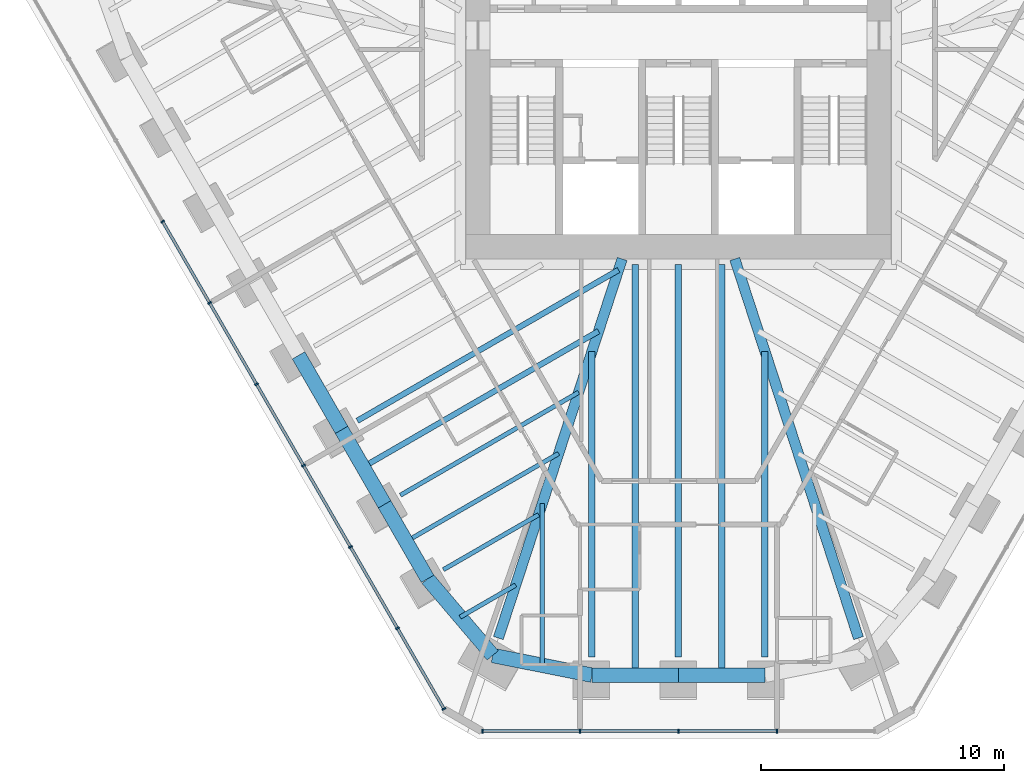
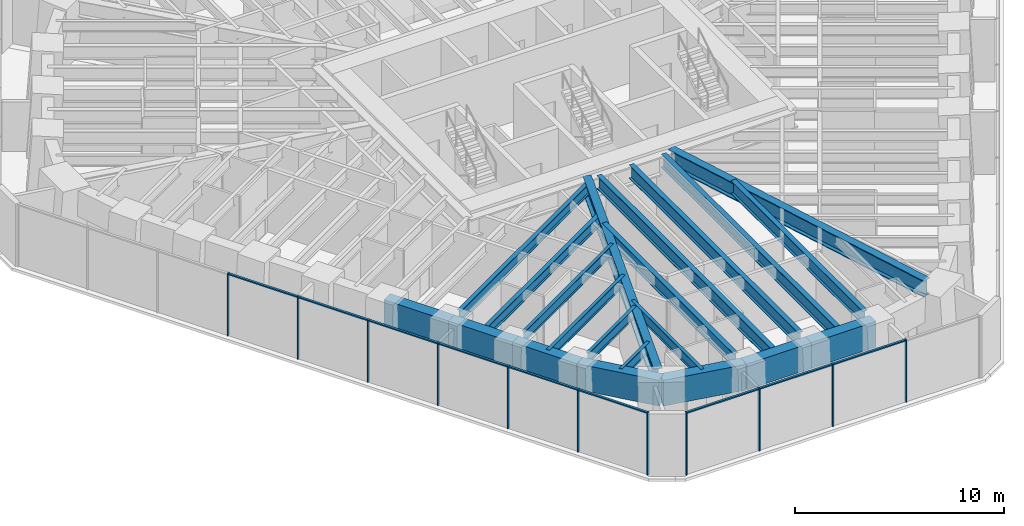
# One storey, part 2 of 16: 21 beams, 20 members, 2 elements without a shape of their own.
"""IFC4 building model written with IfcOpenShell, lengths in metres."""

from ifc_helpers import new_model, si_unit, direction, frame, origin, origin_2d, place, context, subcontext, project, spatial, rectangle, i_section, extrude, material, material_profile, profile_set, type_object, element, aggregate, save


model = new_model("IFC4")

# Units and contexts
model_context = context("Model", 3, precision=1e-05, world=origin(), true_north=direction((0.0, 1.0)))
body_context = subcontext(model_context, "Body", "Model", "MODEL_VIEW")
ifc_project = project(units=[si_unit("LENGTHUNIT", "METRE"), si_unit("AREAUNIT", "SQUARE_METRE"), si_unit("VOLUMEUNIT", "CUBIC_METRE"), si_unit("PLANEANGLEUNIT", "RADIAN"), si_unit("MASSUNIT", "GRAM", prefix="KILO")], contexts=[model_context])

# Site, building, storey
site_placement = place(None, origin())
site = spatial("IfcSite", under=ifc_project, at=site_placement, CompositionType="ELEMENT")
building_placement = place(site_placement, origin())
building = spatial("IfcBuilding", under=site, at=building_placement, Name="Sandreach Pilgrim Tower", CompositionType="ELEMENT")
storey_placement = place(building_placement, frame((0.0, 0.0, 244.0)))
storey = spatial("IfcBuildingStorey", under=building, at=storey_placement, Name="L61", CompositionType="ELEMENT", Elevation=244.0)

# Curtain wall, members
ifc_material_1 = material(Name="Aluminium framed curtain wall", Category="aluminium")
curtain_wall_type = type_object("IfcCurtainWallType", Name="Upper hotel tower curtain wall", PredefinedType="NOTDEFINED", material=ifc_material_1)
curtain_wall_1_placement = place(storey_placement, origin())
curtain_wall_1 = element("IfcCurtainWall", 1, at=curtain_wall_1_placement, inside=storey, type_object=curtain_wall_type, Name="CW-3 L61 S", PredefinedType="NOTDEFINED")
ifc_material_2 = material(Name="Aluminium extrusion", Category="aluminium")
ifc_material_profile_1 = material_profile(ifc_material_2, rectangle(XDim=0.06494140625, YDim=0.159912109375, at=origin_2d()), Name="CW-3M 65X160")
ifc_profile_set_1 = profile_set([ifc_material_profile_1], Name="Aluminium extrusion")
member_type_1 = type_object("IfcMemberType", Name="CW-3 mullion", PredefinedType="MULLION", material=ifc_profile_set_1)
member_1_placement = place(storey_placement, frame((4.048583984375, -26.525146484375, 0.0), z_axis=(0.0, 0.0, 1.0), x_axis=(-1.0, 0.0, 0.0)))
member_1 = element("IfcMember", 2, at=member_1_placement, type_object=member_type_1, Name="CW-3 mullion 2", PredefinedType="MULLION", context=body_context, shape_type="SweptSolid", body=[
    extrude(rectangle(XDim=0.06494140625, YDim=0.159912109375, at=origin_2d()), origin(), (0.0, 0.0, 1.0), 3.639892578125),
])
member_2_placement = place(storey_placement, frame((0.0, -26.525146484375, 0.0), z_axis=(0.0, 0.0, 1.0), x_axis=(-1.0, 0.0, 0.0)))
member_2 = element("IfcMember", 3, at=member_2_placement, type_object=member_type_1, Name="CW-3 mullion 3", PredefinedType="MULLION", context=body_context, shape_type="SweptSolid", body=[
    extrude(rectangle(XDim=0.06494140625, YDim=0.159912109375, at=origin_2d()), origin(), (0.0, 0.0, 1.0), 3.639892578125),
])
member_3_placement = place(storey_placement, frame((-4.048583984375, -26.525146484375, 0.0), z_axis=(0.0, 0.0, 1.0), x_axis=(-1.0, 0.0, 0.0)))
member_3 = element("IfcMember", 4, at=member_3_placement, type_object=member_type_1, Name="CW-3 mullion 4", PredefinedType="MULLION", context=body_context, shape_type="SweptSolid", body=[
    extrude(rectangle(XDim=0.06494140625, YDim=0.159912109375, at=origin_2d()), origin(), (0.0, 0.0, 1.0), 3.639892578125),
])
member_4_placement = place(storey_placement, frame((-8.06494140625, -26.525146484375, 0.0), z_axis=(0.0, 0.0, 1.0), x_axis=(-1.0, 0.0, 0.0)))
member_4 = element("IfcMember", 5, at=member_4_placement, type_object=member_type_1, Name="CW-3 mullion 5", PredefinedType="MULLION", context=body_context, shape_type="SweptSolid", body=[
    extrude(rectangle(XDim=0.06494140625, YDim=0.159912109375, at=origin_2d()), origin(), (0.0, 0.0, 1.0), 3.639892578125),
])

curtain_wall_2_placement = place(storey_placement, origin())
curtain_wall_2 = element("IfcCurtainWall", 6, at=curtain_wall_2_placement, inside=storey, type_object=curtain_wall_type, Name="CW-3 L61 SW", PredefinedType="NOTDEFINED")
member_5_placement = place(storey_placement, frame((-9.646484375, -25.612060546875, 0.0), z_axis=(0.0, 0.0, 1.0), x_axis=(-0.5, 0.866025403784, 0.0)))
member_5 = element("IfcMember", 7, at=member_5_placement, type_object=member_type_1, Name="CW-3 mullion 1", PredefinedType="MULLION", context=body_context, shape_type="SweptSolid", body=[
    extrude(rectangle(XDim=0.06494140625, YDim=0.159912109375, at=origin_2d()), origin(), (0.0, 0.0, 1.0), 3.639892578125),
])
member_6_placement = place(storey_placement, frame((-11.5625, -22.29345703125, 0.0), z_axis=(0.0, 0.0, 1.0), x_axis=(-0.5, 0.866025403784, 0.0)))
member_6 = element("IfcMember", 8, at=member_6_placement, type_object=member_type_1, Name="CW-3 mullion 2", PredefinedType="MULLION", context=body_context, shape_type="SweptSolid", body=[
    extrude(rectangle(XDim=0.06494140625, YDim=0.159912109375, at=origin_2d()), origin(), (0.0, 0.0, 1.0), 3.639892578125),
])
member_7_placement = place(storey_placement, frame((-13.49462890625, -18.94677734375, 0.0), z_axis=(0.0, 0.0, 1.0), x_axis=(-0.5, 0.866025403784, 0.0)))
member_7 = element("IfcMember", 9, at=member_7_placement, type_object=member_type_1, Name="CW-3 mullion 3", PredefinedType="MULLION", context=body_context, shape_type="SweptSolid", body=[
    extrude(rectangle(XDim=0.06494140625, YDim=0.159912109375, at=origin_2d()), origin(), (0.0, 0.0, 1.0), 3.639892578125),
])
member_8_placement = place(storey_placement, frame((-15.4267578125, -15.60009765625, 0.0), z_axis=(0.0, 0.0, 1.0), x_axis=(-0.5, 0.866025403784, 0.0)))
member_8 = element("IfcMember", 10, at=member_8_placement, type_object=member_type_1, Name="CW-3 mullion 4", PredefinedType="MULLION", context=body_context, shape_type="SweptSolid", body=[
    extrude(rectangle(XDim=0.06494140625, YDim=0.159912109375, at=origin_2d()), origin(), (0.0, 0.0, 1.0), 3.639892578125),
])
member_9_placement = place(storey_placement, frame((-17.359130859375, -12.25341796875, 0.0), z_axis=(0.0, 0.0, 1.0), x_axis=(-0.5, 0.866025403784, 0.0)))
member_9 = element("IfcMember", 11, at=member_9_placement, type_object=member_type_1, Name="CW-3 mullion 5", PredefinedType="MULLION", context=body_context, shape_type="SweptSolid", body=[
    extrude(rectangle(XDim=0.06494140625, YDim=0.159912109375, at=origin_2d()), origin(), (0.0, 0.0, 1.0), 3.639892578125),
])
member_10_placement = place(storey_placement, frame((-19.291259765625, -8.90673828125, 0.0), z_axis=(0.0, 0.0, 1.0), x_axis=(-0.5, 0.866025403784, 0.0)))
member_10 = element("IfcMember", 12, at=member_10_placement, type_object=member_type_1, Name="CW-3 mullion 6", PredefinedType="MULLION", context=body_context, shape_type="SweptSolid", body=[
    extrude(rectangle(XDim=0.06494140625, YDim=0.159912109375, at=origin_2d()), origin(), (0.0, 0.0, 1.0), 3.639892578125),
])
member_11_placement = place(storey_placement, frame((-21.223388671875, -5.56005859375, 0.0), z_axis=(0.0, 0.0, 1.0), x_axis=(-0.5, 0.866025403784, 0.0)))
member_11 = element("IfcMember", 13, at=member_11_placement, type_object=member_type_1, Name="CW-3 mullion 7", PredefinedType="MULLION", context=body_context, shape_type="SweptSolid", body=[
    extrude(rectangle(XDim=0.06494140625, YDim=0.159912109375, at=origin_2d()), origin(), (0.0, 0.0, 1.0), 3.639892578125),
])

# Member
ifc_material_3 = material(Name="Aluminium extrusion", Category="aluminium")
ifc_material_profile_2 = material_profile(ifc_material_3, rectangle(XDim=0.1201171875, YDim=0.070068359375, at=origin_2d()), Name="CW-3T 120X70")
ifc_profile_set_2 = profile_set([ifc_material_profile_2], Name="Aluminium extrusion")
member_type_2 = type_object("IfcMemberType", Name="CW-3 transom", PredefinedType="USERDEFINED", material=ifc_profile_set_2)
member_12_placement = place(storey_placement, frame((4.01611328125, -26.525146484375, 3.60498046875), z_axis=(-1.0, 0.0, 0.0), x_axis=(0.0, -1.0, 0.0)))
member_12 = element("IfcMember", 14, at=member_12_placement, type_object=member_type_2, Name="CW-3 head transom 2", ObjectType="TRANSOM", PredefinedType="USERDEFINED", context=body_context, shape_type="SweptSolid", body=[
    extrude(rectangle(XDim=0.1201171875, YDim=0.070068359375, at=origin_2d()), origin(), (0.0, 0.0, 1.0), 3.983642578125),
])

member_13_placement = place(storey_placement, frame((-0.032470703125, -26.525146484375, 3.60498046875), z_axis=(-1.0, 0.0, 0.0), x_axis=(0.0, -1.0, 0.0)))
member_13 = element("IfcMember", 15, at=member_13_placement, type_object=member_type_2, Name="CW-3 head transom 3", ObjectType="TRANSOM", PredefinedType="USERDEFINED", context=body_context, shape_type="SweptSolid", body=[
    extrude(rectangle(XDim=0.1201171875, YDim=0.070068359375, at=origin_2d()), origin(), (0.0, 0.0, 1.0), 3.983642578125),
])

member_14_placement = place(storey_placement, frame((-4.081298828125, -26.525146484375, 3.60498046875), z_axis=(-1.0, 0.0, 0.0), x_axis=(0.0, -1.0, 0.0)))
member_14 = element("IfcMember", 16, at=member_14_placement, type_object=member_type_2, Name="CW-3 head transom 4", ObjectType="TRANSOM", PredefinedType="USERDEFINED", context=body_context, shape_type="SweptSolid", body=[
    extrude(rectangle(XDim=0.1201171875, YDim=0.070068359375, at=origin_2d()), origin(), (0.0, 0.0, 1.0), 3.951171875),
])

aggregate(curtain_wall_1, [member_1, member_2, member_3, member_4, member_12, member_13, member_14])

member_15_placement = place(storey_placement, frame((-9.662841796875, -25.583740234375, 3.60498046875), z_axis=(-0.499973055223, 0.8660409598, 0.0), x_axis=(-0.8660409598, -0.499973055223, 0.0)))
member_15 = element("IfcMember", 17, at=member_15_placement, type_object=member_type_2, Name="CW-3 head transom 1", ObjectType="TRANSOM", PredefinedType="USERDEFINED", context=body_context, shape_type="SweptSolid", body=[
    extrude(rectangle(XDim=0.1201171875, YDim=0.070068359375, at=origin_2d()), origin(), (0.0, 0.0, 1.0), 3.766845703125),
])

member_16_placement = place(storey_placement, frame((-11.57861328125, -22.265380859375, 3.60498046875), z_axis=(-0.500022797313, 0.86601224135, 0.0), x_axis=(-0.86601224135, -0.500022797313, 0.0)))
member_16 = element("IfcMember", 18, at=member_16_placement, type_object=member_type_2, Name="CW-3 head transom 2", ObjectType="TRANSOM", PredefinedType="USERDEFINED", context=body_context, shape_type="SweptSolid", body=[
    extrude(rectangle(XDim=0.1201171875, YDim=0.070068359375, at=origin_2d()), origin(), (0.0, 0.0, 1.0), 3.799560546875),
])

member_17_placement = place(storey_placement, frame((-13.510986328125, -18.918701171875, 3.60498046875), z_axis=(-0.499974606132, 0.866040064445, 0.0), x_axis=(-0.866040064445, -0.499974606132, 0.0)))
member_17 = element("IfcMember", 19, at=member_17_placement, type_object=member_type_2, Name="CW-3 head transom 3", ObjectType="TRANSOM", PredefinedType="USERDEFINED", context=body_context, shape_type="SweptSolid", body=[
    extrude(rectangle(XDim=0.1201171875, YDim=0.070068359375, at=origin_2d()), origin(), (0.0, 0.0, 1.0), 3.799560546875),
])

member_18_placement = place(storey_placement, frame((-15.443115234375, -15.572021484375, 3.60498046875), z_axis=(-0.499974606132, 0.866040064445, 0.0), x_axis=(-0.866040064445, -0.499974606132, 0.0)))
member_18 = element("IfcMember", 20, at=member_18_placement, type_object=member_type_2, Name="CW-3 head transom 4", ObjectType="TRANSOM", PredefinedType="USERDEFINED", context=body_context, shape_type="SweptSolid", body=[
    extrude(rectangle(XDim=0.1201171875, YDim=0.070068359375, at=origin_2d()), origin(), (0.0, 0.0, 1.0), 3.799560546875),
])

member_19_placement = place(storey_placement, frame((-17.375244140625, -12.225341796875, 3.60498046875), z_axis=(-0.500022797313, 0.86601224135, 0.0), x_axis=(-0.86601224135, -0.500022797313, 0.0)))
member_19 = element("IfcMember", 21, at=member_19_placement, type_object=member_type_2, Name="CW-3 head transom 5", ObjectType="TRANSOM", PredefinedType="USERDEFINED", context=body_context, shape_type="SweptSolid", body=[
    extrude(rectangle(XDim=0.1201171875, YDim=0.070068359375, at=origin_2d()), origin(), (0.0, 0.0, 1.0), 3.799560546875),
])

member_20_placement = place(storey_placement, frame((-19.3076171875, -8.878662109375, 3.60498046875), z_axis=(-0.499974606132, 0.866040064445, 0.0), x_axis=(-0.866040064445, -0.499974606132, 0.0)))
member_20 = element("IfcMember", 22, at=member_20_placement, type_object=member_type_2, Name="CW-3 head transom 6", ObjectType="TRANSOM", PredefinedType="USERDEFINED", context=body_context, shape_type="SweptSolid", body=[
    extrude(rectangle(XDim=0.1201171875, YDim=0.070068359375, at=origin_2d()), origin(), (0.0, 0.0, 1.0), 3.799560546875),
])

aggregate(curtain_wall_2, [member_5, member_6, member_7, member_8, member_9, member_10, member_11, member_15, member_16, member_17, member_18, member_19, member_20])

# Beams
ifc_material_4 = material(Name="Steel ASTM A992 Grade 50", Category="steel")
ifc_material_profile_3 = material_profile(ifc_material_4, i_section(OverallWidth=0.424072265625, OverallDepth=0.947509765625, WebThickness=0.02392578125, FlangeThickness=0.042724609375, at=origin_2d()), Name="W36X302")
ifc_profile_set_3 = profile_set([ifc_material_profile_3], Name="Steel ASTM A992 Grade 50")
beam_type_1 = type_object("IfcBeamType", Name="Corner girder W36X302", PredefinedType="BEAM", material=ifc_profile_set_3)
for number, where, z_axis, x_axis, name in (
    (23, (7.40966796875, -22.699462890625, 3.166259765625), (-0.310312058299, 0.950634749246, 0.0), (-0.950634749246, -0.310312058299, 0.0), "BM L61 CG22"),
    (24, (-7.40966796875, -22.699462890625, 3.166259765625), (0.310312058299, 0.950634749246, 0.0), (-0.950634749246, 0.310312058299, 0.0), "BM L61 CG26"),
):
    element("IfcBeam", number, at=place(storey_placement, frame(where, z_axis=z_axis, x_axis=x_axis)), inside=storey, type_object=beam_type_1, Name=name, PredefinedType="BEAM", context=body_context, shape_type="SweptSolid", body=[
        extrude(i_section(OverallWidth=0.424072265625, OverallDepth=0.947509765625, WebThickness=0.02392578125, FlangeThickness=0.042724609375, at=origin_2d()), origin(), (0.0, 0.0, 1.0), 16.409423828125),
    ])
ifc_material_5 = material(Name="Steel ASTM A992 Grade 50", Category="steel")
ifc_material_profile_4 = material_profile(ifc_material_5, i_section(OverallWidth=0.1787109375, OverallDepth=0.60205078125, WebThickness=0.010986328125, FlangeThickness=0.014892578125, at=origin_2d()), Name="W24X62")
ifc_profile_set_4 = profile_set([ifc_material_profile_4], Name="Steel ASTM A992 Grade 50")
beam_type_2 = type_object("IfcBeamType", Name="Floor beam W24X62", PredefinedType="BEAM", material=ifc_profile_set_4)
beam_1_placement = place(storey_placement, frame((-9.6728515625, -19.884521484375, 3.339111328125), z_axis=(0.866031132047, 0.499990078228, 0.0), x_axis=(-0.499990078228, 0.866031132047, 0.0)))
element("IfcBeam", 25, at=beam_1_placement, inside=storey, type_object=beam_type_2, Name="BM L61 F27", PredefinedType="BEAM", context=body_context, shape_type="SweptSolid", body=[
    extrude(i_section(OverallWidth=0.1787109375, OverallDepth=0.60205078125, WebThickness=0.010986328125, FlangeThickness=0.014892578125, at=origin_2d()), origin(), (0.0, 0.0, 1.0), 4.52734375),
])
beam_2_placement = place(storey_placement, frame((-11.442138671875, -16.8203125, 3.339111328125), z_axis=(0.866038196262, 0.499977842124, 0.0), x_axis=(-0.499977842124, 0.866038196262, 0.0)))
element("IfcBeam", 26, at=beam_2_placement, inside=storey, type_object=beam_type_2, Name="BM L61 F28", PredefinedType="BEAM", context=body_context, shape_type="SweptSolid", body=[
    extrude(i_section(OverallWidth=0.1787109375, OverallDepth=0.60205078125, WebThickness=0.010986328125, FlangeThickness=0.014892578125, at=origin_2d()), origin(), (0.0, 0.0, 1.0), 8.46826171875),
])
beam_3_placement = place(storey_placement, frame((-5.60009765625, -23.819580078125, 3.339111328125), z_axis=(0.0, 1.0, 0.0), x_axis=(-1.0, 0.0, 0.0)))
element("IfcBeam", 27, at=beam_3_placement, inside=storey, type_object=beam_type_2, Name="BM L61 FM25", PredefinedType="BEAM", context=body_context, shape_type="SweptSolid", body=[
    extrude(i_section(OverallWidth=0.1787109375, OverallDepth=0.60205078125, WebThickness=0.010986328125, FlangeThickness=0.014892578125, at=origin_2d()), origin(), (0.0, 0.0, 1.0), 6.66357421875),
])
beam_4_placement = place(storey_placement, frame((-8.982421875, -21.836181640625, 3.339111328125), z_axis=(0.865985279442, 0.50006949096, 0.0), x_axis=(-0.50006949096, 0.865985279442, 0.0)))
element("IfcBeam", 28, at=beam_4_placement, inside=storey, type_object=beam_type_2, Name="BM L61 FM26", PredefinedType="BEAM", context=body_context, shape_type="SweptSolid", body=[
    extrude(i_section(OverallWidth=0.1787109375, OverallDepth=0.60205078125, WebThickness=0.010986328125, FlangeThickness=0.014892578125, at=origin_2d()), origin(), (0.0, 0.0, 1.0), 2.638671875),
])
beam_5_placement = place(storey_placement, frame((-11.20703125, -18.7275390625, 3.339111328125), z_axis=(0.866020669537, 0.500008199868, 0.0), x_axis=(-0.500008199868, 0.866020669537, 0.0)))
element("IfcBeam", 29, at=beam_5_placement, inside=storey, type_object=beam_type_2, Name="BM L61 FM27", PredefinedType="BEAM", context=body_context, shape_type="SweptSolid", body=[
    extrude(i_section(OverallWidth=0.1787109375, OverallDepth=0.60205078125, WebThickness=0.010986328125, FlangeThickness=0.014892578125, at=origin_2d()), origin(), (0.0, 0.0, 1.0), 7.248046875),
])
ifc_material_6 = material(Name="Steel ASTM A992 Grade 50", Category="steel")
ifc_material_profile_5 = material_profile(ifc_material_6, i_section(OverallWidth=0.23046875, OverallDepth=0.6171875, WebThickness=0.01318359375, FlangeThickness=0.022216796875, at=origin_2d()), Name="W24X94")
ifc_profile_set_5 = profile_set([ifc_material_profile_5], Name="Steel ASTM A992 Grade 50")
beam_type_3 = type_object("IfcBeamType", Name="Floor beam W24X94", PredefinedType="BEAM", material=ifc_profile_set_5)
beam_6_placement = place(storey_placement, frame((-13.211181640625, -13.756103515625, 3.331298828125), z_axis=(0.866022417212, 0.50000517286, 0.0), x_axis=(-0.50000517286, 0.866022417212, 0.0)))
element("IfcBeam", 30, at=beam_6_placement, inside=storey, type_object=beam_type_3, Name="BM L61 F29", PredefinedType="BEAM", context=body_context, shape_type="SweptSolid", body=[
    extrude(i_section(OverallWidth=0.23046875, OverallDepth=0.6171875, WebThickness=0.01318359375, FlangeThickness=0.022216796875, at=origin_2d()), origin(), (0.0, 0.0, 1.0), 12.408447265625),
])
beam_7_placement = place(storey_placement, frame((-12.97607421875, -15.663330078125, 3.331298828125), z_axis=(0.866018790762, 0.500011453915, 0.0), x_axis=(-0.500011453915, 0.866018790762, 0.0)))
element("IfcBeam", 31, at=beam_7_placement, inside=storey, type_object=beam_type_3, Name="BM L61 FM28", PredefinedType="BEAM", context=body_context, shape_type="SweptSolid", body=[
    extrude(i_section(OverallWidth=0.23046875, OverallDepth=0.6171875, WebThickness=0.01318359375, FlangeThickness=0.022216796875, at=origin_2d()), origin(), (0.0, 0.0, 1.0), 11.188232421875),
])
ifc_material_7 = material(Name="Steel ASTM A992 Grade 50", Category="steel")
ifc_material_profile_6 = material_profile(ifc_material_7, i_section(OverallWidth=0.2666015625, OverallDepth=0.761962890625, WebThickness=0.014404296875, FlangeThickness=0.021484375, at=origin_2d()), Name="W30X116")
ifc_profile_set_6 = profile_set([ifc_material_profile_6], Name="Steel ASTM A992 Grade 50")
beam_type_4 = type_object("IfcBeamType", Name="Floor beam W30X116", PredefinedType="BEAM", material=ifc_profile_set_6)
for number, where, z_axis, x_axis, name in (
    (32, (3.557861328125, -23.4765625, 3.259033203125), (0.0, 1.0, 0.0), (-1.0, 0.0, 0.0), "BM L61 F23"),
    (33, (-3.557861328125, -23.4765625, 3.259033203125), (0.0, 1.0, 0.0), (-1.0, 0.0, 0.0), "BM L61 F25"),
):
    element("IfcBeam", number, at=place(storey_placement, frame(where, z_axis=z_axis, x_axis=x_axis)), inside=storey, type_object=beam_type_4, Name=name, PredefinedType="BEAM", context=body_context, shape_type="SweptSolid", body=[
        extrude(i_section(OverallWidth=0.2666015625, OverallDepth=0.761962890625, WebThickness=0.014404296875, FlangeThickness=0.021484375, at=origin_2d()), origin(), (0.0, 0.0, 1.0), 12.5771484375),
    ])
ifc_material_8 = material(Name="Steel ASTM A992 Grade 50", Category="steel")
ifc_material_profile_7 = material_profile(ifc_material_8, i_section(OverallWidth=0.2666015625, OverallDepth=0.77978515625, WebThickness=0.0166015625, FlangeThickness=0.030029296875, at=origin_2d()), Name="W30X148")
ifc_profile_set_7 = profile_set([ifc_material_profile_7], Name="Steel ASTM A992 Grade 50")
beam_type_5 = type_object("IfcBeamType", Name="Floor beam W30X148", PredefinedType="BEAM", material=ifc_profile_set_7)
beam_8_placement = place(storey_placement, frame((0.0, -23.4765625, 3.25), z_axis=(0.0, 1.0, 0.0), x_axis=(-1.0, 0.0, 0.0)))
element("IfcBeam", 34, at=beam_8_placement, inside=storey, type_object=beam_type_5, Name="BM L61 F24", PredefinedType="BEAM", context=body_context, shape_type="SweptSolid", body=[
    extrude(i_section(OverallWidth=0.2666015625, OverallDepth=0.77978515625, WebThickness=0.0166015625, FlangeThickness=0.030029296875, at=origin_2d()), origin(), (0.0, 0.0, 1.0), 16.154541015625),
])
for number, where, z_axis, x_axis, name in (
    (35, (1.779052734375, -24.2265625, 3.25), (0.0, 1.0, 0.0), (-1.0, 0.0, 0.0), "BM L61 FM23"),
    (36, (-1.779052734375, -24.2265625, 3.25), (0.0, 1.0, 0.0), (-1.0, 0.0, 0.0), "BM L61 FM24"),
):
    element("IfcBeam", number, at=place(storey_placement, frame(where, z_axis=z_axis, x_axis=x_axis)), inside=storey, type_object=beam_type_5, Name=name, PredefinedType="BEAM", context=body_context, shape_type="SweptSolid", body=[
        extrude(i_section(OverallWidth=0.2666015625, OverallDepth=0.77978515625, WebThickness=0.0166015625, FlangeThickness=0.030029296875, at=origin_2d()), origin(), (0.0, 0.0, 1.0), 16.904541015625),
    ])
ifc_material_9 = material(Name="Concrete 10000 psi", Category="concrete")
ifc_material_profile_8 = material_profile(ifc_material_9, rectangle(XDim=0.60009765625, YDim=1.5, at=origin_2d()), Name="RC600X1500")
ifc_profile_set_8 = profile_set([ifc_material_profile_8], Name="Concrete 10000 psi")
beam_type_6 = type_object("IfcBeamType", Name="Spandrel beam RC600X1500", PredefinedType="SPANDREL", material=ifc_profile_set_8)
for number, where, z_axis, x_axis, name in (
    (37, (3.557861328125, -24.2265625, 2.889892578125), (-1.0, 0.0, 0.0), (0.0, -1.0, 0.0), "BM L61 SP23"),
    (38, (0.0, -24.2265625, 2.889892578125), (-1.0, 0.0, 0.0), (0.0, -1.0, 0.0), "BM L61 SP24"),
):
    element("IfcBeam", number, at=place(storey_placement, frame(where, z_axis=z_axis, x_axis=x_axis)), inside=storey, type_object=beam_type_6, Name=name, PredefinedType="SPANDREL", context=body_context, shape_type="SweptSolid", body=[
        extrude(rectangle(XDim=0.60009765625, YDim=1.5, at=origin_2d()), origin(), (0.0, 0.0, 1.0), 3.557861328125),
    ])
beam_9_placement = place(storey_placement, frame((-3.557861328125, -24.2265625, 2.889892578125), z_axis=(-0.980717958668, 0.195428466571, 0.0), x_axis=(-0.195428466571, -0.980717958668, 0.0)))
element("IfcBeam", 39, at=beam_9_placement, inside=storey, type_object=beam_type_6, Name="BM L61 SP25", PredefinedType="SPANDREL", context=body_context, shape_type="SweptSolid", body=[
    extrude(rectangle(XDim=0.60009765625, YDim=1.5, at=origin_2d()), origin(), (0.0, 0.0, 1.0), 4.1650390625),
])
beam_10_placement = place(storey_placement, frame((-7.642578125, -23.41259765625, 2.889892578125), z_axis=(-0.647622731127, 0.761961152637, 0.0), x_axis=(-0.761961152637, -0.647622731127, 0.0)))
element("IfcBeam", 40, at=beam_10_placement, inside=storey, type_object=beam_type_6, Name="BM L61 SP26", PredefinedType="SPANDREL", context=body_context, shape_type="SweptSolid", body=[
    extrude(rectangle(XDim=0.60009765625, YDim=1.5, at=origin_2d()), origin(), (0.0, 0.0, 1.0), 4.13818359375),
])
beam_11_placement = place(storey_placement, frame((-10.322509765625, -20.259521484375, 2.889892578125), z_axis=(-0.499983272517, 0.866035061186, 0.0), x_axis=(-0.866035061186, -0.499983272517, 0.0)))
element("IfcBeam", 41, at=beam_11_placement, inside=storey, type_object=beam_type_6, Name="BM L61 SP27", PredefinedType="SPANDREL", context=body_context, shape_type="SweptSolid", body=[
    extrude(rectangle(XDim=0.60009765625, YDim=1.5, at=origin_2d()), origin(), (0.0, 0.0, 1.0), 3.5380859375),
])
beam_12_placement = place(storey_placement, frame((-12.091552734375, -17.1953125, 2.889892578125), z_axis=(-0.500035021952, 0.866005182907, 0.0), x_axis=(-0.866005182907, -0.500035021952, 0.0)))
element("IfcBeam", 42, at=beam_12_placement, inside=storey, type_object=beam_type_6, Name="BM L61 SP28", PredefinedType="SPANDREL", context=body_context, shape_type="SweptSolid", body=[
    extrude(rectangle(XDim=0.60009765625, YDim=1.5, at=origin_2d()), origin(), (0.0, 0.0, 1.0), 3.538330078125),
])
beam_13_placement = place(storey_placement, frame((-13.86083984375, -14.131103515625, 2.889892578125), z_axis=(-0.499983272517, 0.866035061186, 0.0), x_axis=(-0.866035061186, -0.499983272517, 0.0)))
element("IfcBeam", 43, at=beam_13_placement, inside=storey, type_object=beam_type_6, Name="BM L61 SP29", PredefinedType="SPANDREL", context=body_context, shape_type="SweptSolid", body=[
    extrude(rectangle(XDim=0.60009765625, YDim=1.5, at=origin_2d()), origin(), (0.0, 0.0, 1.0), 3.5380859375),
])

save(model, "model.ifc")
